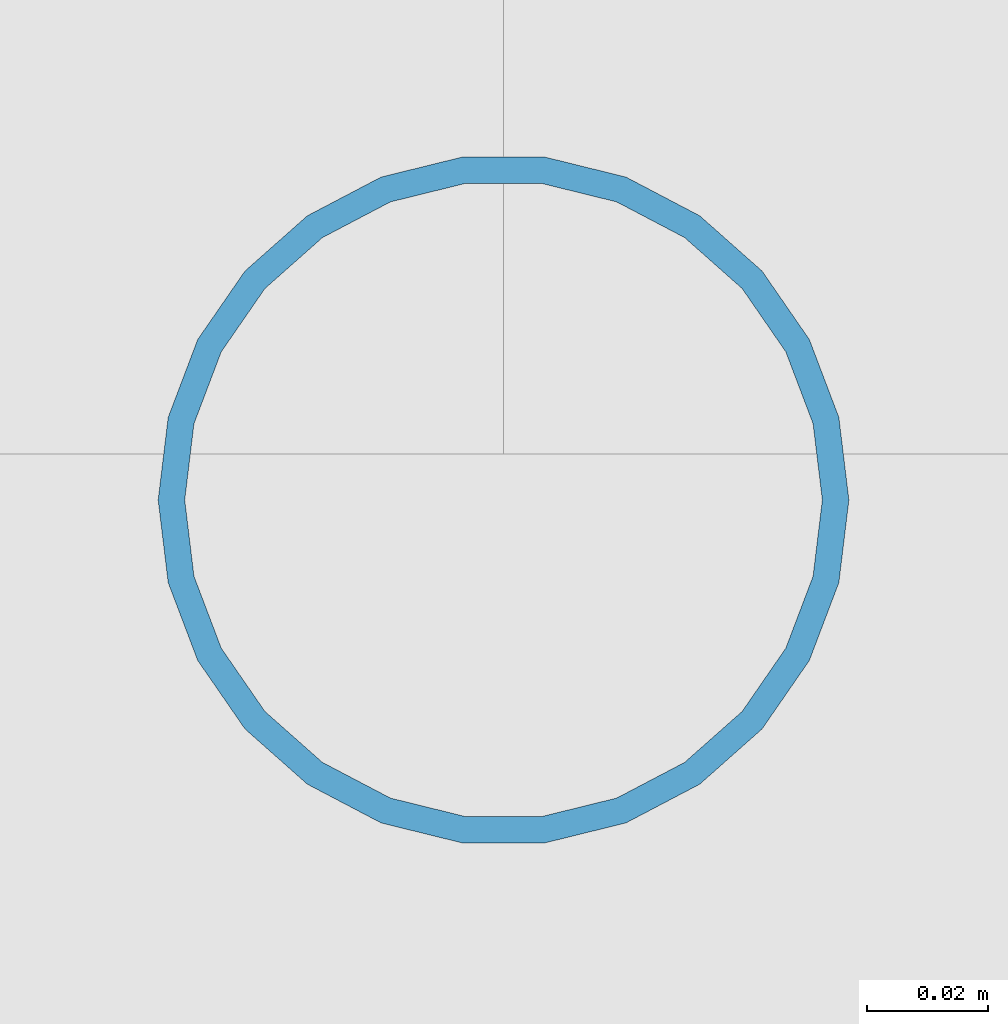
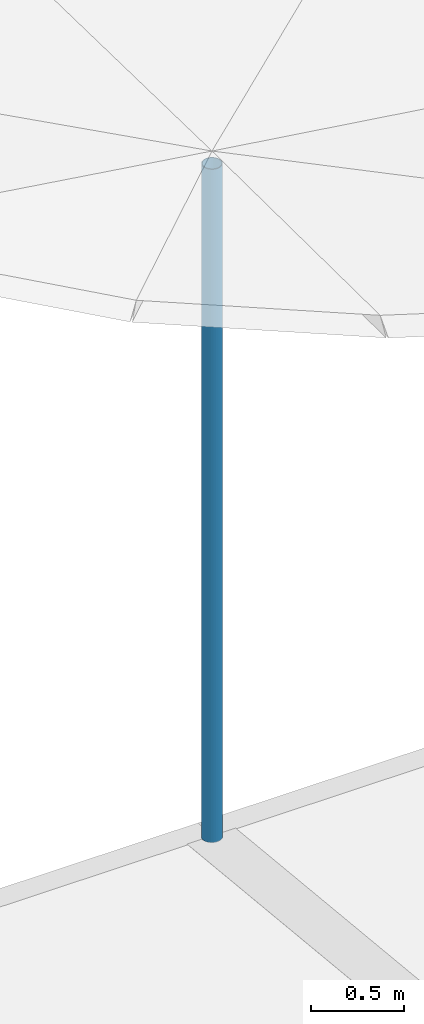
# One storey, part 31 of 46: 1 discrete accessory.
"""IFC4 building model written with IfcOpenShell, lengths in metres."""

import ifcopenshell
import ifcopenshell.guid

model = None  # the IFC model being written
_history = None  # IfcOwnerHistory: only IFC2X3 demands one
_inside = {}  # id of a spatial element -> (the spatial element, [elements in it])
_under = {}  # id of a project, library or spatial element -> (it, [spatial elements below it])
_declared = {}  # id of a project -> (the project, [libraries it declares])
_typed = {}  # id of a type object -> (the type object, [elements of that type])
_made_of = {}  # id of a material, layer set ... -> (it, [elements and type objects made of it])


def new_model(schema):
    """Start an empty IFC model of exactly this schema.

    Asked for "IFC4X3", IfcOpenShell would pick the latest addendum, in which some entities
    have other attributes; the version numbers below select the first issue.
    IFC2X3 requires an IfcOwnerHistory on every rooted entity: one is made here for all.
    """
    global model, _history
    if schema == "IFC4X3":
        model = ifcopenshell.file(schema_version=(4, 3, 0, 0))
    else:
        model = ifcopenshell.file(schema=schema)
    _inside.clear()
    _under.clear()
    _declared.clear()
    _typed.clear()
    _made_of.clear()
    _history = None
    if model.schema == "IFC2X3":
        org = make("IfcOrganization", Name="unknown")
        user = make(
            "IfcPersonAndOrganization",
            ThePerson=make("IfcPerson", FamilyName="unknown"),
            TheOrganization=org,
        )
        app = make(
            "IfcApplication",
            ApplicationDeveloper=org,
            Version="unknown",
            ApplicationFullName="unknown",
            ApplicationIdentifier="unknown",
        )
        _history = make(
            "IfcOwnerHistory",
            OwningUser=user,
            OwningApplication=app,
            ChangeAction="ADDED",
            CreationDate=0,
        )
    return model


def make(cls, **values):
    """One entity of the class cls with the attributes given. An attribute that is None is left unset."""
    return model.create_entity(
        cls, **{name: value for name, value in values.items() if value is not None}
    )


def rooted(cls, **values):
    """An entity with a GlobalId (a new one), such as an element, a storey or a relation."""
    return make(cls, GlobalId=ifcopenshell.guid.new(), OwnerHistory=_history, **values)


def si_unit(unit_type, name, prefix=None):
    """IfcSIUnit, for example si_unit("LENGTHUNIT", "METRE", prefix="MILLI")."""
    return make("IfcSIUnit", UnitType=unit_type, Prefix=prefix, Name=name)


def assignment(units):
    """IfcUnitAssignment: the units of a project."""
    return None if units is None else make("IfcUnitAssignment", Units=units)


def point(xyz):
    """IfcCartesianPoint."""
    return None if xyz is None else make("IfcCartesianPoint", Coordinates=xyz)


def direction(xyz):
    """IfcDirection."""
    return None if xyz is None else make("IfcDirection", DirectionRatios=xyz)


def frame(location, z_axis=None, x_axis=None):
    """IfcAxis2Placement3D, a coordinate frame: its origin and axes. An axis left out is left unset."""
    return make(
        "IfcAxis2Placement3D",
        Location=point(location),
        Axis=direction(z_axis),
        RefDirection=direction(x_axis),
    )


def frame_2d(location, x_axis=None):
    """IfcAxis2Placement2D, a coordinate frame in the plane: its origin and x axis."""
    return make(
        "IfcAxis2Placement2D", Location=point(location), RefDirection=direction(x_axis)
    )


def origin():
    """The frame at (0, 0, 0) with its axes left unset."""
    return frame((0.0, 0.0, 0.0))


def origin_2d():
    """The frame at (0, 0) in the plane with its x axis left unset."""
    return frame_2d((0.0, 0.0))


def place(relative_to, where):
    """IfcLocalPlacement: puts the frame where relative to a parent placement (None: the world)."""
    return make(
        "IfcLocalPlacement", PlacementRelTo=relative_to, RelativePlacement=where
    )


def context(
    kind, dimensions, precision=None, world=None, true_north=None, identifier=None
):
    """IfcGeometricRepresentationContext, for example the 3D "Model" context."""
    return make(
        "IfcGeometricRepresentationContext",
        ContextIdentifier=identifier,
        ContextType=kind,
        CoordinateSpaceDimension=dimensions,
        Precision=precision,
        WorldCoordinateSystem=world,
        TrueNorth=true_north,
    )


def subcontext(parent, identifier, kind, view, scale=None):
    """IfcGeometricRepresentationSubContext, for example "Body" below "Model"."""
    return make(
        "IfcGeometricRepresentationSubContext",
        ContextIdentifier=identifier,
        ContextType=kind,
        ParentContext=parent,
        TargetScale=scale,
        TargetView=view,
    )


def project(units=None, contexts=None):
    """IfcProject with its units and contexts."""
    return rooted(
        "IfcProject",
        Name="project",
        RepresentationContexts=contexts,
        UnitsInContext=assignment(units),
    )


def spatial(cls, under=None, at=None, **own):
    """A site, building, storey or space (cls), placed at a placement, below another one or the project."""
    s = rooted(cls, ObjectPlacement=at, **own)
    if under is not None:
        _under.setdefault(under.id(), (under, []))[1].append(s)
    return s


def profile(cls, at=None, kind="AREA", **sizes):
    """A parametric profile (cls). Its sizes go by their IFC names, for example OverallWidth=200.0."""
    return make(cls, ProfileType=kind, Position=at, **sizes)


def hollow_circle(**sizes):
    """IfcCircleHollowProfileDef."""
    return profile("IfcCircleHollowProfileDef", **sizes)


def extrude(swept, where, along, depth):
    """IfcExtrudedAreaSolid: the profile swept, set in the frame where, extruded along a direction by depth."""
    return make(
        "IfcExtrudedAreaSolid",
        SweptArea=swept,
        Position=where,
        ExtrudedDirection=direction(along),
        Depth=depth,
    )


def shape(context_of_items, identifier, shape_type, items):
    """IfcShapeRepresentation: the items that make up one representation, for example the "Body"."""
    return make(
        "IfcShapeRepresentation",
        ContextOfItems=context_of_items,
        RepresentationIdentifier=identifier,
        RepresentationType=shape_type,
        Items=items,
    )


def material(Name=None, Category=None):
    """IfcMaterial."""
    return make("IfcMaterial", Name=Name, Category=Category)


def material_profile(
    of_material, cross_section, Name=None, Category=None, Priority=None
):
    """IfcMaterialProfile: a cross section and its material."""
    return make(
        "IfcMaterialProfile",
        Name=Name,
        Material=of_material,
        Profile=cross_section,
        Priority=Priority,
        Category=Category,
    )


def profile_set(profiles, Name=None, composite=None):
    """IfcMaterialProfileSet."""
    return make(
        "IfcMaterialProfileSet",
        Name=Name,
        MaterialProfiles=profiles,
        CompositeProfile=composite,
    )


def made_of(thing, what):
    """Note that an element or type object is made of a material, layer set ...; save() writes the relation."""
    if what is not None:
        _made_of.setdefault(what.id(), (what, []))[1].append(thing)
    return thing


def type_object(cls, material=None, **own):
    """A type object (cls), such as IfcWallType, which elements share."""
    return made_of(rooted(cls, **own), material)


def element(
    cls,
    number,
    at=None,
    inside=None,
    cuts=None,
    type_object=None,
    material=None,
    context=None,
    identifier="Body",
    shape_type=None,
    held_by="IfcProductDefinitionShape",
    body=None,
    shapes=None,
    **own,
):
    """One element of the class cls, such as IfcWall. Its Tag is "e" and its number.

    at: its placement. inside: the storey or other place that contains it. cuts: it is an
    opening in that element (IfcRelVoidsElement). A single representation is given by context,
    identifier, shape_type and body (its items); several are given by shapes. held_by: the class
    of the entity that holds the representations. save() writes the other relations.
    """
    e = rooted(cls, Tag="e%d" % number, ObjectPlacement=at, **own)
    if body is not None:
        shapes = [shape(context, identifier, shape_type, body)]
    if shapes is not None:
        e.Representation = make(held_by, Representations=shapes)
    if inside is not None:
        _inside.setdefault(inside.id(), (inside, []))[1].append(e)
    if cuts is not None:
        rooted(
            "IfcRelVoidsElement", RelatingBuildingElement=cuts, RelatedOpeningElement=e
        )
    if type_object is not None:
        _typed.setdefault(type_object.id(), (type_object, []))[1].append(e)
    return made_of(e, material)


def aggregate(whole, parts):
    """IfcRelAggregates: a whole, such as a stair, and the parts it consists of."""
    return rooted("IfcRelAggregates", RelatingObject=whole, RelatedObjects=parts)


def save(model, path):
    """Write the relations noted so far, then the file.

    IfcRelAggregates (storeys below a building ...), IfcRelContainedInSpatialStructure (elements
    in a storey), IfcRelDefinesByType, IfcRelAssociatesMaterial and IfcRelDeclares: one each for
    every whole, place, type object, material and project.
    """
    for whole, parts in _under.values():
        aggregate(whole, parts)
    for where, things in _inside.values():
        rooted(
            "IfcRelContainedInSpatialStructure",
            RelatedElements=things,
            RelatingStructure=where,
        )
    for kind, things in _typed.values():
        rooted("IfcRelDefinesByType", RelatedObjects=things, RelatingType=kind)
    for what, things in _made_of.values():
        rooted("IfcRelAssociatesMaterial", RelatedObjects=things, RelatingMaterial=what)
    for by, libraries in _declared.values():
        rooted("IfcRelDeclares", RelatingContext=by, RelatedDefinitions=libraries)
    model.write(path)


model = new_model("IFC4")

# Units and contexts
model_context = context("Model", 3, precision=1e-05, world=origin(), true_north=direction((0.0, 1.0)))
body_context = subcontext(model_context, "Body", "Model", "MODEL_VIEW")
ifc_project = project(units=[si_unit("LENGTHUNIT", "METRE"), si_unit("AREAUNIT", "SQUARE_METRE"), si_unit("VOLUMEUNIT", "CUBIC_METRE"), si_unit("PLANEANGLEUNIT", "RADIAN"), si_unit("MASSUNIT", "GRAM", prefix="KILO")], contexts=[model_context])

# Site, building, storey
site_placement = place(None, origin())
site = spatial("IfcSite", under=ifc_project, at=site_placement, CompositionType="ELEMENT")
building_placement = place(site_placement, origin())
building = spatial("IfcBuilding", under=site, at=building_placement, Name="Rain Tree Exposition and Congress Centre", CompositionType="ELEMENT")
storey_placement = place(building_placement, frame((0.0, 0.0, 27.0)))
storey = spatial("IfcBuildingStorey", under=building, at=storey_placement, Name="ROOF VAULT CREST", CompositionType="ELEMENT", Elevation=27.0)

# Discrete accessory
ifc_material = material(Name="Steel S355J2H", Category="steel")
ifc_material_profile = material_profile(ifc_material, hollow_circle(Radius=0.05712890625, WallThickness=0.00439453125, at=origin_2d()), Name="CHS 114x4.5")
ifc_profile_set = profile_set([ifc_material_profile], Name="Steel S355J2H")
discrete_accessory_type = type_object("IfcDiscreteAccessoryType", Name="Roof skin post CHS 114x4.5", PredefinedType="BRACKET", material=ifc_profile_set)
discrete_accessory_placement = place(storey_placement, frame((193.199951171875, 184.800048828125, 0.551025390625), z_axis=(0.0, 0.0, 1.0), x_axis=(1.0, 0.0, 0.0)))
element("IfcDiscreteAccessory", 1, at=discrete_accessory_placement, inside=storey, type_object=discrete_accessory_type, Name="Roof skin post B137", PredefinedType="BRACKET", context=body_context, shape_type="SweptSolid", body=[
    extrude(hollow_circle(Radius=0.05712890625, WallThickness=0.00439453125, at=origin_2d()), origin(), (0.0, 0.0, 1.0), 4.4072265625),
])

save(model, "model.ifc")
